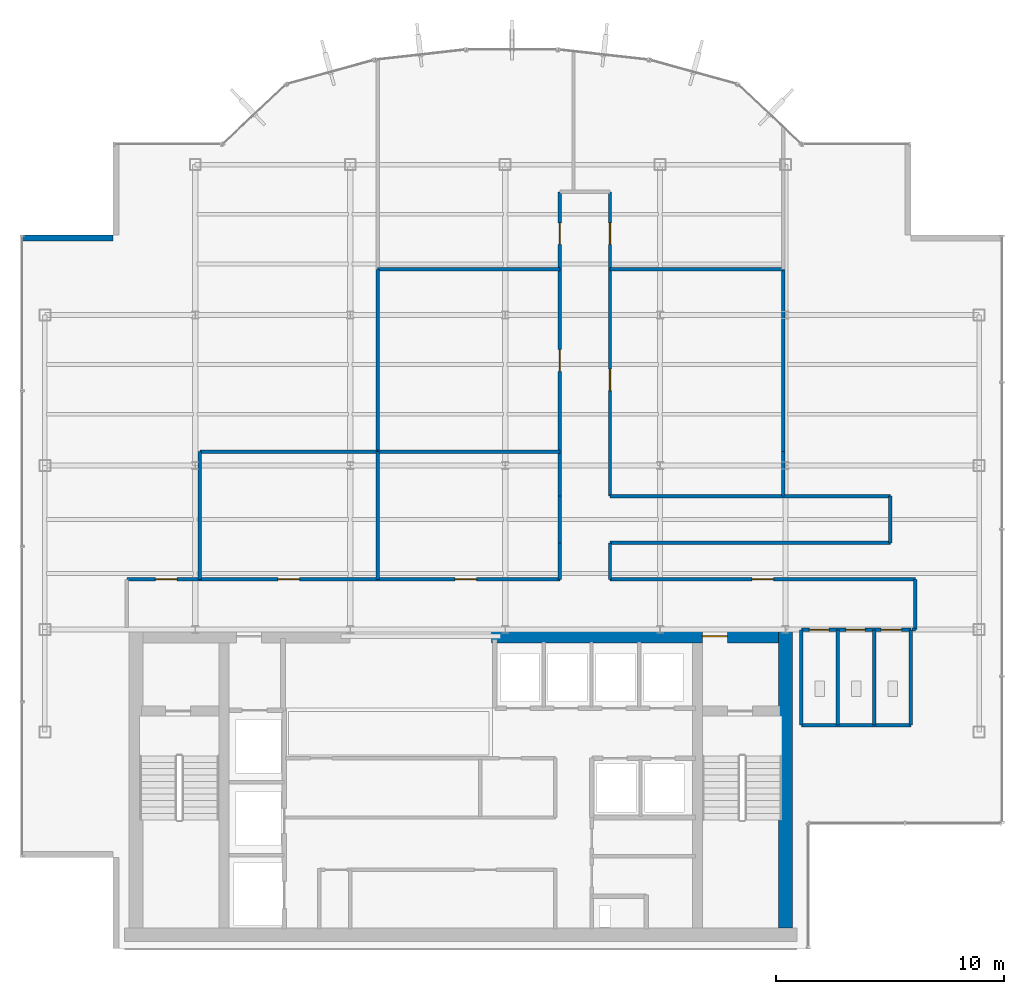
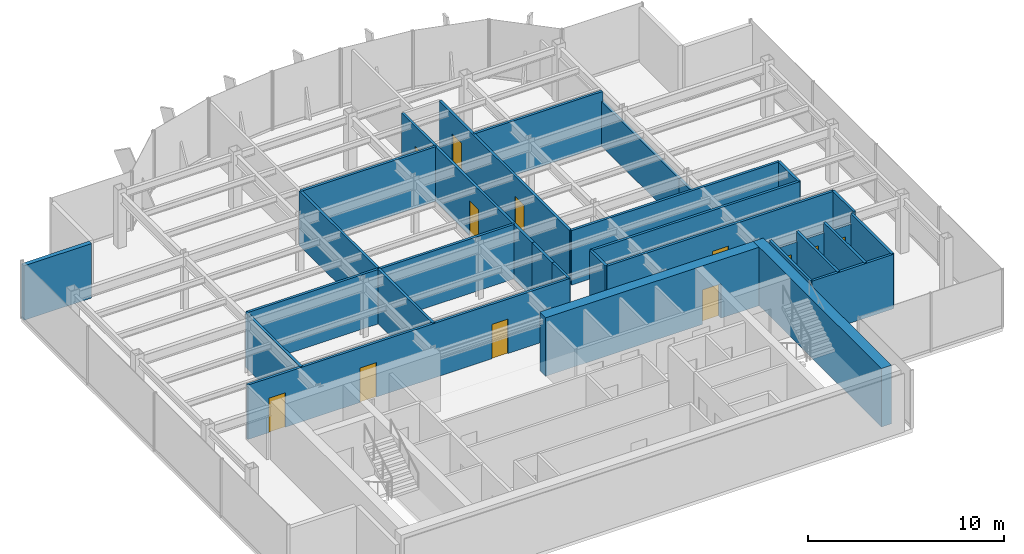
# One storey, part 18 of 22: 30 walls, 12 doors, 12 openings.
"""IFC4 building model written with IfcOpenShell, lengths in metres."""

from ifc_helpers import new_model, si_unit, derived_unit, direction, frame, frame_2d, origin, place, context, subcontext, project, spatial, rectangle, extrude, source, transform, mapped, material, layer, layer_set, type_object, element, fill, save


model = new_model("IFC4")

# Units and contexts
model_context = context("Model", 3, precision=1e-05, world=origin(), true_north=direction((0.0, 1.0)))
body_context = subcontext(model_context, "Body", "Model", "MODEL_VIEW")
ifc_project = project(units=[si_unit("LENGTHUNIT", "METRE"), si_unit("AREAUNIT", "SQUARE_METRE"), si_unit("VOLUMEUNIT", "CUBIC_METRE"), si_unit("PLANEANGLEUNIT", "RADIAN"), si_unit("MASSUNIT", "GRAM", prefix="KILO"), derived_unit("THERMALTRANSMITTANCEUNIT", [(si_unit("POWERUNIT", "WATT"), 1), (si_unit("LENGTHUNIT", "METRE"), -2), (si_unit("THERMODYNAMICTEMPERATUREUNIT", "KELVIN"), -1)])], contexts=[model_context])

# Site, building, storey
site_placement = place(None, origin())
site = spatial("IfcSite", under=ifc_project, at=site_placement, CompositionType="ELEMENT")
building_placement = place(site_placement, origin())
building = spatial("IfcBuilding", under=site, at=building_placement, Name="Skarnbrae Concourse Arena and Tower", CompositionType="ELEMENT")
storey_placement = place(building_placement, frame((0.0, 0.0, 195.89990234375)))
storey = spatial("IfcBuildingStorey", under=building, at=storey_placement, Name="L50", CompositionType="ELEMENT", Elevation=195.89990234375)

# Wall
ifc_material_1 = material(Name="Concrete 50 MPa (C50/60)", Category="concrete")
ifc_layer_1 = layer(ifc_material_1, 0.60009765625)
ifc_layer_set_1 = layer_set([ifc_layer_1], Name="Concrete 50 MPa (C50/60)")
wall_type_1 = type_object("IfcWallType", Name="WALL-CORE-600-C50", PredefinedType="SHEAR", material=ifc_layer_set_1)
shared_shape_1 = source(origin(), body_context, "Body", "SweptSolid", [
    extrude(rectangle(XDim=13.10009765625, YDim=0.60009765625, at=frame_2d((6.550048828125, 0.0))), origin(), (0.0, 0.0, 1.0), 3.650146484375),
])
wall_1_placement = place(storey_placement, frame((33.5, 0.89990234375, 0.0), z_axis=(0.0, 0.0, 1.0), x_axis=(0.0, 1.0, 0.0)))
element("IfcWall", 1, at=wall_1_placement, inside=storey, type_object=wall_type_1, Name="L50 Rear core shear wall CW-E", PredefinedType="SHEAR", context=body_context, shape_type="MappedRepresentation", body=[
    mapped(shared_shape_1, transform((0.0, 0.0, 0.0))),
])

# Wall, opening, door
shared_shape_2 = source(origin(), body_context, "Body", "SweptSolid", [
    extrude(rectangle(XDim=12.599853515625, YDim=0.60009765625, at=frame_2d((6.2998046875, 0.0))), origin(), (0.0, 0.0, 1.0), 3.650146484375),
])
wall_2_placement = place(storey_placement, frame((20.60009765625, 13.699951171875, 0.0), z_axis=(0.0, 0.0, 1.0), x_axis=(1.0, 0.0, 0.0)))
wall_2 = element("IfcWall", 2, at=wall_2_placement, inside=storey, type_object=wall_type_1, Name="L50 Rear core shear wall CW-NE", PredefinedType="SHEAR", context=body_context, shape_type="MappedRepresentation", body=[
    mapped(shared_shape_2, transform((0.0, 0.0, 0.0))),
])
opening_1_placement = place(wall_2_placement, frame((9.25, 0.0, 0.0)))
opening_1 = element("IfcOpeningElement", 3, at=opening_1_placement, cuts=wall_2, Name="Opening DT-03", PredefinedType="OPENING", context=body_context, shape_type="SweptSolid", body=[
    extrude(rectangle(XDim=1.10009765625, YDim=2.14990234375, at=frame_2d((0.550048828125, 1.074951171875))), frame((0.0, 0.31005859375, 0.0), z_axis=(0.0, -1.0, 0.0), x_axis=(1.0, 0.0, 0.0)), (0.0, 0.0, 1.0), 0.6201171875),
])
ifc_material_2 = material(Name="Steel CSA G40.21 350W", Category="steel")
door_type_1 = type_object("IfcDoorType", Name="DOOR-FIRE-1100-90M", OperationType="NOTDEFINED", PredefinedType="DOOR", material=ifc_material_2)
shared_shape_3 = source(origin(), body_context, "Body", "SweptSolid", [
    extrude(rectangle(XDim=1.10009765625, YDim=2.14990234375, at=frame_2d((0.550048828125, 1.074951171875))), frame((0.0, 0.02490234375, 0.0), z_axis=(0.0, -1.0, 0.0), x_axis=(1.0, 0.0, 0.0)), (0.0, 0.0, 1.0), 0.050048828125),
])
door_1_placement = place(opening_1_placement, origin())
door_1 = element("IfcDoor", 4, at=door_1_placement, inside=storey, type_object=door_type_1, Name="D-1528 Stair ST-2 Vestibule Door", OperationType="SINGLE_SWING_LEFT", OverallHeight=2.14990234375, OverallWidth=1.10009765625, PredefinedType="DOOR", context=body_context, shape_type="MappedRepresentation", body=[
    mapped(shared_shape_3, transform((0.0, 0.0, 0.0))),
])
fill(opening_1, door_1)

# Walls
ifc_material_3 = material(Name="Precast concrete 40 MPa (C40/50)", Category="concrete")
ifc_layer_2 = layer(ifc_material_3, 0.25)
ifc_layer_set_2 = layer_set([ifc_layer_2], Name="Precast concrete 40 MPa (C40/50)")
wall_type_2 = type_object("IfcWallType", Name="WALL-EXT-SPANDREL-250", PredefinedType="STANDARD", material=ifc_layer_set_2)
shared_shape_4 = source(origin(), body_context, "Body", "SweptSolid", [
    extrude(rectangle(XDim=4.0, YDim=0.25, at=frame_2d((2.0, 0.0))), origin(), (0.0, 0.0, 1.0), 3.400146484375),
])
wall_3_placement = place(storey_placement, frame((4.0, 31.175048828125, 0.0), z_axis=(0.0, 0.0, 1.0), x_axis=(-1.0, 0.0, 0.0)))
element("IfcWall", 5, at=wall_3_placement, inside=storey, type_object=wall_type_2, Name="L50 Notched corner insulated return wall 17", PredefinedType="STANDARD", context=body_context, shape_type="MappedRepresentation", body=[
    mapped(shared_shape_4, transform((0.0, 0.0, 0.0))),
])
ifc_material_4 = material(Name="Gypsum board on cold-formed steel studs", Category="steel")
ifc_layer_3 = layer(ifc_material_4, 0.14990234375)
ifc_layer_set_3 = layer_set([ifc_layer_3], Name="Gypsum board on cold-formed steel studs")
wall_type_3 = type_object("IfcWallType", Name="WALL-PART-150", PredefinedType="PARTITIONING", material=ifc_layer_set_3)
shared_shape_5 = source(origin(), body_context, "Body", "SweptSolid", [
    extrude(rectangle(XDim=4.800048828125, YDim=0.14990234375, at=frame_2d((2.39990234375, 0.0))), origin(), (0.0, 0.0, 1.0), 3.400146484375),
])
wall_4_placement = place(storey_placement, frame((34.199951171875, 9.800048828125, 0.0), z_axis=(0.0, 0.0, 1.0), x_axis=(1.0, 0.0, 0.0)))
element("IfcWall", 6, at=wall_4_placement, inside=storey, type_object=wall_type_3, Name="L50 Interior partition wall W-L50-WC-S", PredefinedType="PARTITIONING", context=body_context, shape_type="MappedRepresentation", body=[
    mapped(shared_shape_5, transform((0.0, 0.0, 0.0))),
])
shared_shape_6 = source(origin(), body_context, "Body", "SweptSolid", [
    extrude(rectangle(XDim=4.179931640625, YDim=0.14990234375, at=frame_2d((2.08984375, 0.0))), origin(), (0.0, 0.0, 1.0), 3.400146484375),
])
for number, where, z_axis, x_axis, name in (
    (7, (39.0, 9.800048828125, 0.0), (0.0, 0.0, 1.0), (0.0, 1.0, 0.0), "L50 Interior partition wall W-L50-WC-E"),
    (8, (34.199951171875, 9.800048828125, 0.0), (0.0, 0.0, 1.0), (0.0, 1.0, 0.0), "L50 Interior partition wall W-L50-WC-W"),
    (9, (35.800048828125, 9.800048828125, 0.0), (0.0, 0.0, 1.0), (0.0, 1.0, 0.0), "L50 Interior partition wall W-L50-WC-D1"),
    (10, (37.39990234375, 9.800048828125, 0.0), (0.0, 0.0, 1.0), (0.0, 1.0, 0.0), "L50 Interior partition wall W-L50-WC-D2"),
):
    element("IfcWall", number, at=place(storey_placement, frame(where, z_axis=z_axis, x_axis=x_axis)), inside=storey, type_object=wall_type_3, Name=name, PredefinedType="PARTITIONING", context=body_context, shape_type="MappedRepresentation", body=[
        mapped(shared_shape_6, transform((0.0, 0.0, 0.0))),
    ])
ifc_layer_4 = layer(ifc_material_4, 0.14990234375)
ifc_layer_set_4 = layer_set([ifc_layer_4], Name="Gypsum board on cold-formed steel studs")
wall_type_4 = type_object("IfcWallType", Name="WALL-PART-150-1HR", PredefinedType="PARTITIONING", material=ifc_layer_set_4)
shared_shape_7 = source(origin(), body_context, "Body", "SweptSolid", [
    extrude(rectangle(XDim=2.050048828125, YDim=0.14990234375, at=frame_2d((1.02490234375, 0.0))), origin(), (0.0, 0.0, 1.0), 3.400146484375),
])
for number, where, z_axis, x_axis, name in (
    (11, (23.60009765625, 17.800048828125, 0.0), (0.0, 0.0, 1.0), (0.0, 1.0, 0.0), "L50 Interior partition wall W-L50-COR-04"),
    (12, (38.10009765625, 19.85009765625, 0.0), (0.0, 0.0, 1.0), (0.0, -1.0, 0.0), "L50 Interior partition wall W-L50-COR-09"),
):
    element("IfcWall", number, at=place(storey_placement, frame(where, z_axis=z_axis, x_axis=x_axis)), inside=storey, type_object=wall_type_4, Name=name, PredefinedType="PARTITIONING", context=body_context, shape_type="MappedRepresentation", body=[
        mapped(shared_shape_7, transform((0.0, 0.0, 0.0))),
    ])
shared_shape_8 = source(origin(), body_context, "Body", "SweptSolid", [
    extrude(rectangle(XDim=2.199951171875, YDim=0.14990234375, at=frame_2d((1.10009765625, 0.0))), origin(), (0.0, 0.0, 1.0), 3.400146484375),
])
wall_5_placement = place(storey_placement, frame((39.199951171875, 16.199951171875, 0.0), z_axis=(0.0, 0.0, 1.0), x_axis=(0.0, -1.0, 0.0)))
element("IfcWall", 13, at=wall_5_placement, inside=storey, type_object=wall_type_4, Name="L50 Interior partition wall W-L50-COR-13", PredefinedType="PARTITIONING", context=body_context, shape_type="MappedRepresentation", body=[
    mapped(shared_shape_8, transform((0.0, 0.0, 0.0))),
])

# Wall, openings, doors
shared_shape_9 = source(origin(), body_context, "Body", "SweptSolid", [
    extrude(rectangle(XDim=19.0, YDim=0.14990234375, at=frame_2d((9.5, 0.0))), origin(), (0.0, 0.0, 1.0), 3.400146484375),
])
wall_6_placement = place(storey_placement, frame((4.60009765625, 16.199951171875, 0.0), z_axis=(0.0, 0.0, 1.0), x_axis=(1.0, 0.0, 0.0)))
wall_6 = element("IfcWall", 14, at=wall_6_placement, inside=storey, type_object=wall_type_4, Name="L50 Interior partition wall W-L50-COR-02", PredefinedType="PARTITIONING", context=body_context, shape_type="MappedRepresentation", body=[
    mapped(shared_shape_9, transform((0.0, 0.0, 0.0))),
])
opening_2_placement = place(wall_6_placement, frame((1.2548828125, 0.0, 0.0)))
opening_2 = element("IfcOpeningElement", 15, at=opening_2_placement, cuts=wall_6, Name="Opening DT-04", PredefinedType="OPENING", context=body_context, shape_type="SweptSolid", body=[
    extrude(rectangle(XDim=0.949951171875, YDim=2.14990234375, at=frame_2d((0.47509765625, 1.074951171875))), frame((0.0, 0.0849609375, 0.0), z_axis=(0.0, -1.0, 0.0), x_axis=(1.0, 0.0, 0.0)), (0.0, 0.0, 1.0), 0.169921875),
])
opening_3_placement = place(wall_6_placement, frame((6.625, 0.0, 0.0)))
opening_3 = element("IfcOpeningElement", 16, at=opening_3_placement, cuts=wall_6, Name="Opening DT-04", PredefinedType="OPENING", context=body_context, shape_type="SweptSolid", body=[
    extrude(rectangle(XDim=0.949951171875, YDim=2.14990234375, at=frame_2d((0.47509765625, 1.074951171875))), frame((0.0, 0.0849609375, 0.0), z_axis=(0.0, -1.0, 0.0), x_axis=(1.0, 0.0, 0.0)), (0.0, 0.0, 1.0), 0.169921875),
])
opening_4_placement = place(wall_6_placement, frame((14.39501953125, 0.0, 0.0)))
opening_4 = element("IfcOpeningElement", 17, at=opening_4_placement, cuts=wall_6, Name="Opening DT-04", PredefinedType="OPENING", context=body_context, shape_type="SweptSolid", body=[
    extrude(rectangle(XDim=0.949951171875, YDim=2.14990234375, at=frame_2d((0.47509765625, 1.074951171875))), frame((0.0, 0.0849609375, 0.0), z_axis=(0.0, -1.0, 0.0), x_axis=(1.0, 0.0, 0.0)), (0.0, 0.0, 1.0), 0.169921875),
])
door_type_2 = type_object("IfcDoorType", Name="DOOR-INT-950-45M", OperationType="NOTDEFINED", PredefinedType="DOOR", material=ifc_material_2)
shared_shape_10 = source(origin(), body_context, "Body", "SweptSolid", [
    extrude(rectangle(XDim=0.949951171875, YDim=2.14990234375, at=frame_2d((0.47509765625, 1.074951171875))), frame((0.0, 0.02490234375, 0.0), z_axis=(0.0, -1.0, 0.0), x_axis=(1.0, 0.0, 0.0)), (0.0, 0.0, 1.0), 0.050048828125),
])
door_2_placement = place(opening_2_placement, origin())
door_2 = element("IfcDoor", 18, at=door_2_placement, inside=storey, type_object=door_type_2, Name="D-1547 L50 Suite Door 01", OperationType="SINGLE_SWING_RIGHT", OverallHeight=2.14990234375, OverallWidth=0.949951171875, PredefinedType="DOOR", context=body_context, shape_type="MappedRepresentation", body=[
    mapped(shared_shape_10, transform((0.0, 0.0, 0.0))),
])
fill(opening_2, door_2)
door_3_placement = place(opening_3_placement, origin())
door_3 = element("IfcDoor", 19, at=door_3_placement, inside=storey, type_object=door_type_2, Name="D-1548 L50 Suite Door 02", OperationType="SINGLE_SWING_LEFT", OverallHeight=2.14990234375, OverallWidth=0.949951171875, PredefinedType="DOOR", context=body_context, shape_type="MappedRepresentation", body=[
    mapped(shared_shape_10, transform((0.0, 0.0, 0.0))),
])
fill(opening_3, door_3)
door_4_placement = place(opening_4_placement, origin())
door_4 = element("IfcDoor", 20, at=door_4_placement, inside=storey, type_object=door_type_2, Name="D-1549 L50 Suite Door 03", OperationType="SINGLE_SWING_RIGHT", OverallHeight=2.14990234375, OverallWidth=0.949951171875, PredefinedType="DOOR", context=body_context, shape_type="MappedRepresentation", body=[
    mapped(shared_shape_10, transform((0.0, 0.0, 0.0))),
])
fill(opening_4, door_4)

# Walls
shared_shape_11 = source(origin(), body_context, "Body", "SweptSolid", [
    extrude(rectangle(XDim=7.800048828125, YDim=0.14990234375, at=frame_2d((3.89990234375, 0.0))), origin(), (0.0, 0.0, 1.0), 3.400146484375),
])
wall_7_placement = place(storey_placement, frame((15.60009765625, 21.800048828125, 0.0), z_axis=(0.0, 0.0, 1.0), x_axis=(-1.0, 0.0, 0.0)))
element("IfcWall", 21, at=wall_7_placement, inside=storey, type_object=wall_type_3, Name="L50 Interior partition wall W-L50-DEM-15", PredefinedType="PARTITIONING", context=body_context, shape_type="MappedRepresentation", body=[
    mapped(shared_shape_11, transform((0.0, 0.0, 0.0))),
])
shared_shape_12 = source(origin(), body_context, "Body", "SweptSolid", [
    extrude(rectangle(XDim=8.0, YDim=0.14990234375, at=frame_2d((4.0, 0.0))), origin(), (0.0, 0.0, 1.0), 3.400146484375),
])
for number, where, z_axis, x_axis, name in (
    (22, (15.60009765625, 21.800048828125, 0.0), (0.0, 0.0, 1.0), (1.0, 0.0, 0.0), "L50 Interior partition wall W-L50-DEM-18"),
    (23, (15.60009765625, 29.800048828125, 0.0), (0.0, 0.0, 1.0), (0.0, -1.0, 0.0), "L50 Interior partition wall W-L50-DEM-19"),
    (24, (15.60009765625, 29.800048828125, 0.0), (0.0, 0.0, 1.0), (1.0, 0.0, 0.0), "L50 Interior partition wall W-L50-DEM-20"),
):
    element("IfcWall", number, at=place(storey_placement, frame(where, z_axis=z_axis, x_axis=x_axis)), inside=storey, type_object=wall_type_3, Name=name, PredefinedType="PARTITIONING", context=body_context, shape_type="MappedRepresentation", body=[
        mapped(shared_shape_12, transform((0.0, 0.0, 0.0))),
    ])
shared_shape_13 = source(origin(), body_context, "Body", "SweptSolid", [
    extrude(rectangle(XDim=5.60009765625, YDim=0.14990234375, at=frame_2d((2.800048828125, 0.0))), origin(), (0.0, 0.0, 1.0), 3.400146484375),
])
for number, where, z_axis, x_axis, name in (
    (25, (7.800048828125, 21.800048828125, 0.0), (0.0, 0.0, 1.0), (0.0, -1.0, 0.0), "L50 Interior partition wall W-L50-DEM-16"),
    (26, (15.60009765625, 21.800048828125, 0.0), (0.0, 0.0, 1.0), (0.0, -1.0, 0.0), "L50 Interior partition wall W-L50-DEM-17"),
):
    element("IfcWall", number, at=place(storey_placement, frame(where, z_axis=z_axis, x_axis=x_axis)), inside=storey, type_object=wall_type_3, Name=name, PredefinedType="PARTITIONING", context=body_context, shape_type="MappedRepresentation", body=[
        mapped(shared_shape_13, transform((0.0, 0.0, 0.0))),
    ])

# Wall, openings, doors
shared_shape_14 = source(origin(), body_context, "Body", "SweptSolid", [
    extrude(rectangle(XDim=4.800048828125, YDim=0.14990234375, at=frame_2d((2.39990234375, 0.0))), origin(), (0.0, 0.0, 1.0), 2.787109375),
])
wall_8_placement = place(storey_placement, frame((34.199951171875, 13.97998046875, 0.0), z_axis=(0.0, 0.0, 1.0), x_axis=(1.0, 0.0, 0.0)))
wall_8 = element("IfcWall", 27, at=wall_8_placement, inside=storey, type_object=wall_type_3, Name="L50 Interior partition wall W-L50-WC-N", PredefinedType="PARTITIONING", context=body_context, shape_type="MappedRepresentation", body=[
    mapped(shared_shape_14, transform((0.0, 0.0, 0.0))),
])
opening_5_placement = place(wall_8_placement, frame((0.35009765625, 0.0, 0.0)))
opening_5 = element("IfcOpeningElement", 28, at=opening_5_placement, cuts=wall_8, Name="Opening DT-06", PredefinedType="OPENING", context=body_context, shape_type="SweptSolid", body=[
    extrude(rectangle(XDim=0.85009765625, YDim=2.10009765625, at=frame_2d((0.425048828125, 1.050048828125))), frame((0.0, 0.0849609375, 0.0), z_axis=(0.0, -1.0, 0.0), x_axis=(1.0, 0.0, 0.0)), (0.0, 0.0, 1.0), 0.169921875),
])
opening_6_placement = place(wall_8_placement, frame((1.949951171875, 0.0, 0.0)))
opening_6 = element("IfcOpeningElement", 29, at=opening_6_placement, cuts=wall_8, Name="Opening DT-06", PredefinedType="OPENING", context=body_context, shape_type="SweptSolid", body=[
    extrude(rectangle(XDim=0.85009765625, YDim=2.10009765625, at=frame_2d((0.425048828125, 1.050048828125))), frame((0.0, 0.0849609375, 0.0), z_axis=(0.0, -1.0, 0.0), x_axis=(1.0, 0.0, 0.0)), (0.0, 0.0, 1.0), 0.169921875),
])
opening_7_placement = place(wall_8_placement, frame((3.5, 0.0, 0.0)))
opening_7 = element("IfcOpeningElement", 30, at=opening_7_placement, cuts=wall_8, Name="Opening DT-05", PredefinedType="OPENING", context=body_context, shape_type="SweptSolid", body=[
    extrude(rectangle(XDim=0.89990234375, YDim=2.10009765625, at=frame_2d((0.449951171875, 1.050048828125))), frame((0.0, 0.0849609375, 0.0), z_axis=(0.0, -1.0, 0.0), x_axis=(1.0, 0.0, 0.0)), (0.0, 0.0, 1.0), 0.169921875),
])
ifc_material_5 = material(Name="Architectural oak veneer timber leaf", Category="wood")
door_type_3 = type_object("IfcDoorType", Name="DOOR-INT-850", OperationType="NOTDEFINED", PredefinedType="DOOR", material=ifc_material_5)
shared_shape_15 = source(origin(), body_context, "Body", "SweptSolid", [
    extrude(rectangle(XDim=0.85009765625, YDim=2.10009765625, at=frame_2d((0.425048828125, 1.050048828125))), frame((0.0, 0.02490234375, 0.0), z_axis=(0.0, -1.0, 0.0), x_axis=(1.0, 0.0, 0.0)), (0.0, 0.0, 1.0), 0.050048828125),
])
door_5_placement = place(opening_5_placement, frame((0.85009765625, 0.0, 0.0), z_axis=(0.0, 0.0, 1.0), x_axis=(-1.0, 0.0, 0.0)))
door_5 = element("IfcDoor", 31, at=door_5_placement, inside=storey, type_object=door_type_3, Name="D-1544 Male Washroom Door", OperationType="SINGLE_SWING_LEFT", OverallHeight=2.10009765625, OverallWidth=0.85009765625, PredefinedType="DOOR", context=body_context, shape_type="MappedRepresentation", body=[
    mapped(shared_shape_15, transform((0.0, 0.0, 0.0))),
])
fill(opening_5, door_5)
door_6_placement = place(opening_6_placement, frame((0.85009765625, 0.0, 0.0), z_axis=(0.0, 0.0, 1.0), x_axis=(-1.0, 0.0, 0.0)))
door_6 = element("IfcDoor", 32, at=door_6_placement, inside=storey, type_object=door_type_3, Name="D-1545 Female Washroom Door", OperationType="SINGLE_SWING_RIGHT", OverallHeight=2.10009765625, OverallWidth=0.85009765625, PredefinedType="DOOR", context=body_context, shape_type="MappedRepresentation", body=[
    mapped(shared_shape_15, transform((0.0, 0.0, 0.0))),
])
fill(opening_6, door_6)
door_type_4 = type_object("IfcDoorType", Name="DOOR-INT-900", OperationType="NOTDEFINED", PredefinedType="DOOR", material=ifc_material_5)
shared_shape_16 = source(origin(), body_context, "Body", "SweptSolid", [
    extrude(rectangle(XDim=0.89990234375, YDim=2.10009765625, at=frame_2d((0.449951171875, 1.050048828125))), frame((0.0, 0.02490234375, 0.0), z_axis=(0.0, -1.0, 0.0), x_axis=(1.0, 0.0, 0.0)), (0.0, 0.0, 1.0), 0.050048828125),
])
door_7_placement = place(opening_7_placement, frame((0.89990234375, 0.0, 0.0), z_axis=(0.0, 0.0, 1.0), x_axis=(-1.0, 0.0, 0.0)))
door_7 = element("IfcDoor", 33, at=door_7_placement, inside=storey, type_object=door_type_4, Name="D-1546 Accessible WC Door", OperationType="SINGLE_SWING_LEFT", OverallHeight=2.10009765625, OverallWidth=0.89990234375, PredefinedType="DOOR", context=body_context, shape_type="MappedRepresentation", body=[
    mapped(shared_shape_16, transform((0.0, 0.0, 0.0))),
])
fill(opening_7, door_7)

# Walls
shared_shape_17 = source(origin(), body_context, "Body", "SweptSolid", [
    extrude(rectangle(XDim=1.60009765625, YDim=0.14990234375, at=frame_2d((0.800048828125, 0.0))), origin(), (0.0, 0.0, 1.0), 3.400146484375),
])
for number, where, z_axis, x_axis, name in (
    (34, (23.60009765625, 16.199951171875, 0.0), (0.0, 0.0, 1.0), (0.0, 1.0, 0.0), "L50 Interior partition wall W-L50-COR-03"),
    (35, (25.800048828125, 17.800048828125, 0.0), (0.0, 0.0, 1.0), (0.0, -1.0, 0.0), "L50 Interior partition wall W-L50-COR-11"),
):
    element("IfcWall", number, at=place(storey_placement, frame(where, z_axis=z_axis, x_axis=x_axis)), inside=storey, type_object=wall_type_4, Name=name, PredefinedType="PARTITIONING", context=body_context, shape_type="MappedRepresentation", body=[
        mapped(shared_shape_17, transform((0.0, 0.0, 0.0))),
    ])

# Wall, openings, doors
shared_shape_18 = source(origin(), body_context, "Body", "SweptSolid", [
    extrude(rectangle(XDim=13.349853515625, YDim=0.14990234375, at=frame_2d((6.6748046875, 0.0))), origin(), (0.0, 0.0, 1.0), 3.400146484375),
])
wall_9_placement = place(storey_placement, frame((23.60009765625, 19.85009765625, 0.0), z_axis=(0.0, 0.0, 1.0), x_axis=(0.0, 1.0, 0.0)))
wall_9 = element("IfcWall", 36, at=wall_9_placement, inside=storey, type_object=wall_type_4, Name="L50 Interior partition wall W-L50-COR-05", PredefinedType="PARTITIONING", context=body_context, shape_type="MappedRepresentation", body=[
    mapped(shared_shape_18, transform((0.0, 0.0, 0.0))),
])
opening_8_placement = place(wall_9_placement, frame((5.47509765625, 0.0, 0.0)))
opening_8 = element("IfcOpeningElement", 37, at=opening_8_placement, cuts=wall_9, Name="Opening DT-04", PredefinedType="OPENING", context=body_context, shape_type="SweptSolid", body=[
    extrude(rectangle(XDim=0.949951171875, YDim=2.14990234375, at=frame_2d((0.47509765625, 1.074951171875))), frame((0.0, 0.0849609375, 0.0), z_axis=(0.0, -1.0, 0.0), x_axis=(1.0, 0.0, 0.0)), (0.0, 0.0, 1.0), 0.169921875),
])
opening_9_placement = place(wall_9_placement, frame((11.044921875, 0.0, 0.0)))
opening_9 = element("IfcOpeningElement", 38, at=opening_9_placement, cuts=wall_9, Name="Opening DT-04", PredefinedType="OPENING", context=body_context, shape_type="SweptSolid", body=[
    extrude(rectangle(XDim=0.949951171875, YDim=2.14990234375, at=frame_2d((0.47509765625, 1.074951171875))), frame((0.0, 0.0849609375, 0.0), z_axis=(0.0, -1.0, 0.0), x_axis=(1.0, 0.0, 0.0)), (0.0, 0.0, 1.0), 0.169921875),
])
door_8_placement = place(opening_8_placement, origin())
door_8 = element("IfcDoor", 39, at=door_8_placement, inside=storey, type_object=door_type_2, Name="D-1550 L50 Suite Door 04", OperationType="SINGLE_SWING_LEFT", OverallHeight=2.14990234375, OverallWidth=0.949951171875, PredefinedType="DOOR", context=body_context, shape_type="MappedRepresentation", body=[
    mapped(shared_shape_10, transform((0.0, 0.0, 0.0))),
])
fill(opening_8, door_8)
door_9_placement = place(opening_9_placement, origin())
door_9 = element("IfcDoor", 40, at=door_9_placement, inside=storey, type_object=door_type_2, Name="D-1551 L50 Suite Door 05", OperationType="SINGLE_SWING_RIGHT", OverallHeight=2.14990234375, OverallWidth=0.949951171875, PredefinedType="DOOR", context=body_context, shape_type="MappedRepresentation", body=[
    mapped(shared_shape_10, transform((0.0, 0.0, 0.0))),
])
fill(opening_9, door_9)

wall_10_placement = place(storey_placement, frame((25.800048828125, 33.199951171875, 0.0), z_axis=(0.0, 0.0, 1.0), x_axis=(0.0, -1.0, 0.0)))
wall_10 = element("IfcWall", 41, at=wall_10_placement, inside=storey, type_object=wall_type_4, Name="L50 Interior partition wall W-L50-COR-07", PredefinedType="PARTITIONING", context=body_context, shape_type="MappedRepresentation", body=[
    mapped(shared_shape_18, transform((0.0, 0.0, 0.0))),
])
opening_10_placement = place(wall_10_placement, frame((1.35498046875, 0.0, 0.0)))
opening_10 = element("IfcOpeningElement", 42, at=opening_10_placement, cuts=wall_10, Name="Opening DT-04", PredefinedType="OPENING", context=body_context, shape_type="SweptSolid", body=[
    extrude(rectangle(XDim=0.949951171875, YDim=2.14990234375, at=frame_2d((0.47509765625, 1.074951171875))), frame((0.0, 0.0849609375, 0.0), z_axis=(0.0, -1.0, 0.0), x_axis=(1.0, 0.0, 0.0)), (0.0, 0.0, 1.0), 0.169921875),
])
opening_11_placement = place(wall_10_placement, frame((7.77001953125, 0.0, 0.0)))
opening_11 = element("IfcOpeningElement", 43, at=opening_11_placement, cuts=wall_10, Name="Opening DT-04", PredefinedType="OPENING", context=body_context, shape_type="SweptSolid", body=[
    extrude(rectangle(XDim=0.949951171875, YDim=2.14990234375, at=frame_2d((0.47509765625, 1.074951171875))), frame((0.0, 0.0849609375, 0.0), z_axis=(0.0, -1.0, 0.0), x_axis=(1.0, 0.0, 0.0)), (0.0, 0.0, 1.0), 0.169921875),
])
door_10_placement = place(opening_10_placement, origin())
door_10 = element("IfcDoor", 44, at=door_10_placement, inside=storey, type_object=door_type_2, Name="D-1552 L50 Suite Door 06", OperationType="SINGLE_SWING_LEFT", OverallHeight=2.14990234375, OverallWidth=0.949951171875, PredefinedType="DOOR", context=body_context, shape_type="MappedRepresentation", body=[
    mapped(shared_shape_10, transform((0.0, 0.0, 0.0))),
])
fill(opening_10, door_10)
door_11_placement = place(opening_11_placement, origin())
door_11 = element("IfcDoor", 45, at=door_11_placement, inside=storey, type_object=door_type_2, Name="D-1553 L50 Suite Door 07", OperationType="SINGLE_SWING_RIGHT", OverallHeight=2.14990234375, OverallWidth=0.949951171875, PredefinedType="DOOR", context=body_context, shape_type="MappedRepresentation", body=[
    mapped(shared_shape_10, transform((0.0, 0.0, 0.0))),
])
fill(opening_11, door_11)

# Walls
shared_shape_19 = source(origin(), body_context, "Body", "SweptSolid", [
    extrude(rectangle(XDim=12.300048828125, YDim=0.14990234375, at=frame_2d((6.14990234375, 0.0))), origin(), (0.0, 0.0, 1.0), 3.400146484375),
])
for number, where, z_axis, x_axis, name in (
    (46, (25.800048828125, 19.85009765625, 0.0), (0.0, 0.0, 1.0), (1.0, 0.0, 0.0), "L50 Interior partition wall W-L50-COR-08"),
    (47, (38.10009765625, 17.800048828125, 0.0), (0.0, 0.0, 1.0), (-1.0, 0.0, 0.0), "L50 Interior partition wall W-L50-COR-10"),
):
    element("IfcWall", number, at=place(storey_placement, frame(where, z_axis=z_axis, x_axis=x_axis)), inside=storey, type_object=wall_type_4, Name=name, PredefinedType="PARTITIONING", context=body_context, shape_type="MappedRepresentation", body=[
        mapped(shared_shape_19, transform((0.0, 0.0, 0.0))),
    ])

# Wall, opening, door
shared_shape_20 = source(origin(), body_context, "Body", "SweptSolid", [
    extrude(rectangle(XDim=13.39990234375, YDim=0.14990234375, at=frame_2d((6.699951171875, 0.0))), origin(), (0.0, 0.0, 1.0), 3.400146484375),
])
wall_11_placement = place(storey_placement, frame((25.800048828125, 16.199951171875, 0.0), z_axis=(0.0, 0.0, 1.0), x_axis=(1.0, 0.0, 0.0)))
wall_11 = element("IfcWall", 48, at=wall_11_placement, inside=storey, type_object=wall_type_4, Name="L50 Interior partition wall W-L50-COR-12", PredefinedType="PARTITIONING", context=body_context, shape_type="MappedRepresentation", body=[
    mapped(shared_shape_20, transform((0.0, 0.0, 0.0))),
])
opening_12_placement = place(wall_11_placement, frame((6.22509765625, 0.0, 0.0)))
opening_12 = element("IfcOpeningElement", 49, at=opening_12_placement, cuts=wall_11, Name="Opening DT-04", PredefinedType="OPENING", context=body_context, shape_type="SweptSolid", body=[
    extrude(rectangle(XDim=0.949951171875, YDim=2.14990234375, at=frame_2d((0.47509765625, 1.074951171875))), frame((0.0, 0.0849609375, 0.0), z_axis=(0.0, -1.0, 0.0), x_axis=(1.0, 0.0, 0.0)), (0.0, 0.0, 1.0), 0.169921875),
])
door_12_placement = place(opening_12_placement, origin())
door_12 = element("IfcDoor", 50, at=door_12_placement, inside=storey, type_object=door_type_2, Name="D-1554 L50 Suite Door 08", OperationType="SINGLE_SWING_LEFT", OverallHeight=2.14990234375, OverallWidth=0.949951171875, PredefinedType="DOOR", context=body_context, shape_type="MappedRepresentation", body=[
    mapped(shared_shape_10, transform((0.0, 0.0, 0.0))),
])
fill(opening_12, door_12)

# Walls
shared_shape_21 = source(origin(), body_context, "Body", "SweptSolid", [
    extrude(rectangle(XDim=0.14990234375, YDim=0.14990234375, at=frame_2d((0.074951171875, 0.0))), origin(), (0.0, 0.0, 1.0), 3.400146484375),
])
wall_12_placement = place(storey_placement, frame((39.199951171875, 14.0, 0.0), z_axis=(0.0, 0.0, 1.0), x_axis=(-1.0, 0.0, 0.0)))
element("IfcWall", 51, at=wall_12_placement, inside=storey, type_object=wall_type_4, Name="L50 Interior partition wall W-L50-COR-14", PredefinedType="PARTITIONING", context=body_context, shape_type="MappedRepresentation", body=[
    mapped(shared_shape_21, transform((0.0, 0.0, 0.0))),
])
shared_shape_22 = source(origin(), body_context, "Body", "SweptSolid", [
    extrude(rectangle(XDim=7.599853515625, YDim=0.14990234375, at=frame_2d((3.7998046875, 0.0))), origin(), (0.0, 0.0, 1.0), 3.400146484375),
])
wall_13_placement = place(storey_placement, frame((33.39990234375, 29.800048828125, 0.0), z_axis=(0.0, 0.0, 1.0), x_axis=(-1.0, 0.0, 0.0)))
element("IfcWall", 52, at=wall_13_placement, inside=storey, type_object=wall_type_3, Name="L50 Interior partition wall W-L50-DEM-23", PredefinedType="PARTITIONING", context=body_context, shape_type="MappedRepresentation", body=[
    mapped(shared_shape_22, transform((0.0, 0.0, 0.0))),
])
shared_shape_23 = source(origin(), body_context, "Body", "SweptSolid", [
    extrude(rectangle(XDim=8.0, YDim=0.14990234375, at=frame_2d((4.0, 0.0))), origin(), (0.0, 0.0, 1.0), 2.787109375),
])
wall_14_placement = place(storey_placement, frame((33.39990234375, 29.800048828125, 0.0), z_axis=(0.0, 0.0, 1.0), x_axis=(0.0, -1.0, 0.0)))
element("IfcWall", 53, at=wall_14_placement, inside=storey, type_object=wall_type_3, Name="L50 Interior partition wall W-L50-DEM-24", PredefinedType="PARTITIONING", context=body_context, shape_type="MappedRepresentation", body=[
    mapped(shared_shape_23, transform((0.0, 0.0, 0.0))),
])
shared_shape_24 = source(origin(), body_context, "Body", "SweptSolid", [
    extrude(rectangle(XDim=1.949951171875, YDim=0.14990234375, at=frame_2d((0.97509765625, 0.0))), origin(), (0.0, 0.0, 1.0), 2.787109375),
])
wall_15_placement = place(storey_placement, frame((33.39990234375, 21.800048828125, 0.0), z_axis=(0.0, 0.0, 1.0), x_axis=(0.0, -1.0, 0.0)))
element("IfcWall", 54, at=wall_15_placement, inside=storey, type_object=wall_type_3, Name="L50 Interior partition wall W-L50-DEM-25", PredefinedType="PARTITIONING", context=body_context, shape_type="MappedRepresentation", body=[
    mapped(shared_shape_24, transform((0.0, 0.0, 0.0))),
])

save(model, "model.ifc")
